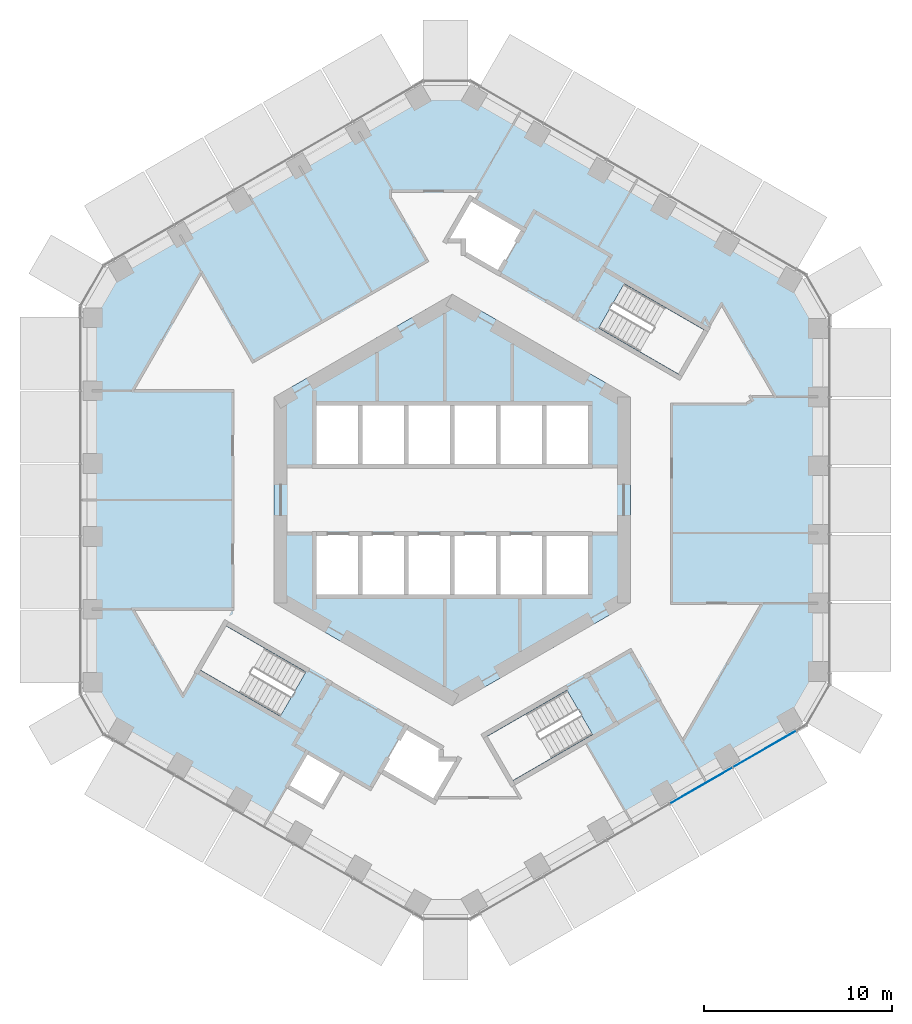
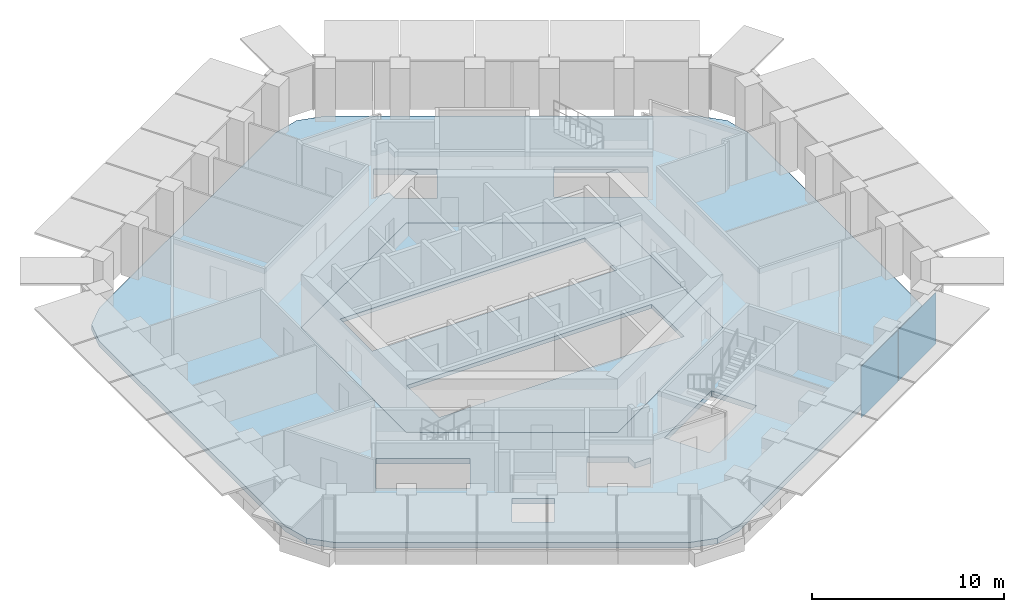
# One storey, part 10 of 19: 2 plates, 2 slabs, 1 element without a shape of its own.
"""IFC4 building model written with IfcOpenShell, lengths in metres."""

from ifc_helpers import new_model, si_unit, direction, frame, origin, origin_2d, place, context, subcontext, project, spatial, polyline, rectangle, outline, extrude, material, layer, layer_set, type_object, element, aggregate, save


model = new_model("IFC4")

# Units and contexts
model_context = context("Model", 3, precision=1e-05, world=origin(), true_north=direction((0.0, 1.0)))
body_context = subcontext(model_context, "Body", "Model", "MODEL_VIEW")
ifc_project = project(units=[si_unit("LENGTHUNIT", "METRE"), si_unit("AREAUNIT", "SQUARE_METRE"), si_unit("VOLUMEUNIT", "CUBIC_METRE"), si_unit("PLANEANGLEUNIT", "RADIAN"), si_unit("MASSUNIT", "GRAM", prefix="KILO")], contexts=[model_context])

# Site, building, storey
site_placement = place(None, origin())
site = spatial("IfcSite", under=ifc_project, at=site_placement, CompositionType="ELEMENT")
building_placement = place(site_placement, origin())
building = spatial("IfcBuilding", under=site, at=building_placement, Name="Ayvan Gate Tower", CompositionType="ELEMENT")
storey_placement = place(building_placement, frame((0.0, 0.0, 100.10009765625)))
storey = spatial("IfcBuildingStorey", under=building, at=storey_placement, Name="L26", CompositionType="ELEMENT", Elevation=100.10009765625)

# Slabs
ifc_material_1 = material(Name="Concrete C40/50", Category="concrete")
ifc_layer_1 = layer(ifc_material_1, 0.35009765625)
ifc_layer_set_1 = layer_set([ifc_layer_1], Name="Concrete C40/50")
slab_type_1 = type_object("IfcSlabType", Name="Post-tensioned flat slab 350", PredefinedType="FLOOR", material=ifc_layer_set_1)
slab_1_placement = place(storey_placement, frame((0.0, 0.0, -0.35009765625)))
element("IfcSlab", 1, at=slab_1_placement, inside=storey, type_object=slab_type_1, Name="SL-L26", PredefinedType="FLOOR", context=body_context, shape_type="SweptSolid", body=[
    extrude(outline(polyline([(-0.296630859375, -21.864501953125), (-1.796630859375, -21.462646484375), (-17.688720703125, -12.287353515625), (-18.786865234375, -11.189208984375), (-19.188720703125, -9.689208984375), (-19.188720703125, 9.689208984375), (-18.786865234375, 11.189208984375), (-17.688720703125, 12.287353515625), (-1.796630859375, 21.462646484375), (-0.296630859375, 21.864501953125), (1.203369140625, 21.462646484375), (17.985595703125, 11.7734375), (19.083740234375, 10.67529296875), (19.485595703125, 9.17529296875), (19.485595703125, -9.17529296875), (19.083740234375, -10.67529296875), (17.985595703125, -11.7734375), (1.203369140625, -21.462646484375), (-0.296630859375, -21.864501953125)]), holes=[polyline([(13.404541015625, 9.0673828125), (9.1611328125, 11.517578125), (7.80615234375, 9.170654296875), (12.049560546875, 6.720458984375), (13.404541015625, 9.0673828125)]), polyline([(0.0, 10.9697265625), (-9.5, 5.48486328125), (-9.5, -5.48486328125), (0.0, -10.9697265625), (9.5, -5.48486328125), (9.5, 5.48486328125), (0.0, 10.9697265625)]), polyline([(3.228759765625, -14.9423828125), (7.472412109375, -12.492431640625), (6.117431640625, -10.1455078125), (1.873779296875, -12.595458984375), (3.228759765625, -14.9423828125)]), polyline([(2.472412109375, 12.08251953125), (3.822509765625, 14.420654296875), (0.964599609375, 16.07080078125), (-0.340576171875, 13.81005859375), (0.60009765625, 13.81005859375), (0.60009765625, 13.16357421875), (2.472412109375, 12.08251953125)]), polyline([(0.340576171875, -13.81005859375), (-0.60009765625, -13.81005859375), (-0.60009765625, -13.16357421875), (-2.472412109375, -12.08251953125), (-3.822509765625, -14.420654296875), (-0.964599609375, -16.07080078125), (-0.845458984375, -15.864501953125), (0.340576171875, -13.81005859375)]), polyline([(-7.321533203125, -16.095703125), (-6.894775390625, -16.342041015625), (-5.8447265625, -14.5234375), (-7.75, -13.42333984375), (-8.800048828125, -15.241943359375), (-7.321533203125, -16.095703125)]), polyline([(-7.80615234375, -9.170654296875), (-12.049560546875, -6.720458984375), (-13.404541015625, -9.0673828125), (-9.1611328125, -11.517578125), (-7.80615234375, -9.170654296875)])]), origin(), (0.0, 0.0, 1.0), 0.35009765625),
])
ifc_layer_2 = layer(ifc_material_1, 0.25)
ifc_layer_set_2 = layer_set([ifc_layer_2], Name="Concrete C40/50")
slab_type_2 = type_object("IfcSlabType", Name="SL-CORE-250", PredefinedType="FLOOR", material=ifc_layer_set_2)
slab_2_placement = place(storey_placement, frame((0.0, 0.0, -0.25)))
element("IfcSlab", 2, at=slab_2_placement, inside=storey, type_object=slab_type_2, Name="CS-L26", PredefinedType="FLOOR", context=body_context, shape_type="SweptSolid", body=[
    extrude(outline(polyline([(9.5, -5.48486328125), (0.0, -10.9697265625), (-9.5, -5.48486328125), (-9.5, 5.48486328125), (0.0, 10.9697265625), (9.5, 5.48486328125), (9.5, -5.48486328125)]), holes=[polyline([(-7.35009765625, -1.800048828125), (-7.35009765625, -5.14990234375), (7.35009765625, -5.14990234375), (7.35009765625, -1.800048828125), (-7.35009765625, -1.800048828125)]), polyline([(-7.35009765625, 5.14990234375), (-7.35009765625, 1.800048828125), (7.35009765625, 1.800048828125), (7.35009765625, 5.14990234375), (-7.35009765625, 5.14990234375)])]), origin(), (0.0, 0.0, 1.0), 0.25),
])

# Curtain wall, plates
ifc_material_2 = material(Name="Bronze anodised aluminium", Category="aluminium")
ifc_layer_3 = layer(ifc_material_2, 0.199951171875)
ifc_layer_set_3 = layer_set([ifc_layer_3], Name="Bronze anodised aluminium")
curtain_wall_type = type_object("IfcCurtainWallType", Name="Stick curtain wall CW-1", PredefinedType="NOTDEFINED", material=ifc_layer_set_3)
curtain_wall_placement = place(storey_placement, origin())
curtain_wall = element("IfcCurtainWall", 3, at=curtain_wall_placement, inside=storey, type_object=curtain_wall_type, Name="Stick curtain wall CW-1 L26", PredefinedType="NOTDEFINED")
ifc_material_3 = material(Name="Clear low-iron laminated glass", Category="glass")
ifc_layer_4 = layer(ifc_material_3, 0.028076171875)
ifc_layer_set_4 = layer_set([ifc_layer_4], Name="Clear low-iron laminated glass")
plate_type = type_object("IfcPlateType", Name="Stick curtain wall CW-1 glass panel", PredefinedType="CURTAIN_PANEL", material=ifc_layer_set_4)
plate_1_placement = place(storey_placement, frame((13.269287109375, -15.218017578125, 0.0), z_axis=(0.0, 0.0, 1.0), x_axis=(0.866025403784, 0.5, 0.0)))
plate_1 = element("IfcPlate", 4, at=plate_1_placement, type_object=plate_type, Name="CW-1 glass panel 4", PredefinedType="CURTAIN_PANEL", context=body_context, shape_type="SweptSolid", body=[
    extrude(rectangle(XDim=3.822021484375, YDim=0.028076171875, at=origin_2d()), origin(), (0.0, 0.0, 1.0), 3.280029296875),
])
plate_2_placement = place(storey_placement, frame((16.65966796875, -13.260498046875, 0.0), z_axis=(0.0, 0.0, 1.0), x_axis=(0.866025403784, 0.5, 0.0)))
plate_2 = element("IfcPlate", 5, at=plate_2_placement, type_object=plate_type, Name="CW-1 glass panel 5", PredefinedType="CURTAIN_PANEL", context=body_context, shape_type="SweptSolid", body=[
    extrude(rectangle(XDim=3.88818359375, YDim=0.028076171875, at=origin_2d()), origin(), (0.0, 0.0, 1.0), 3.280029296875),
])
aggregate(curtain_wall, [plate_1, plate_2])

save(model, "model.ifc")
